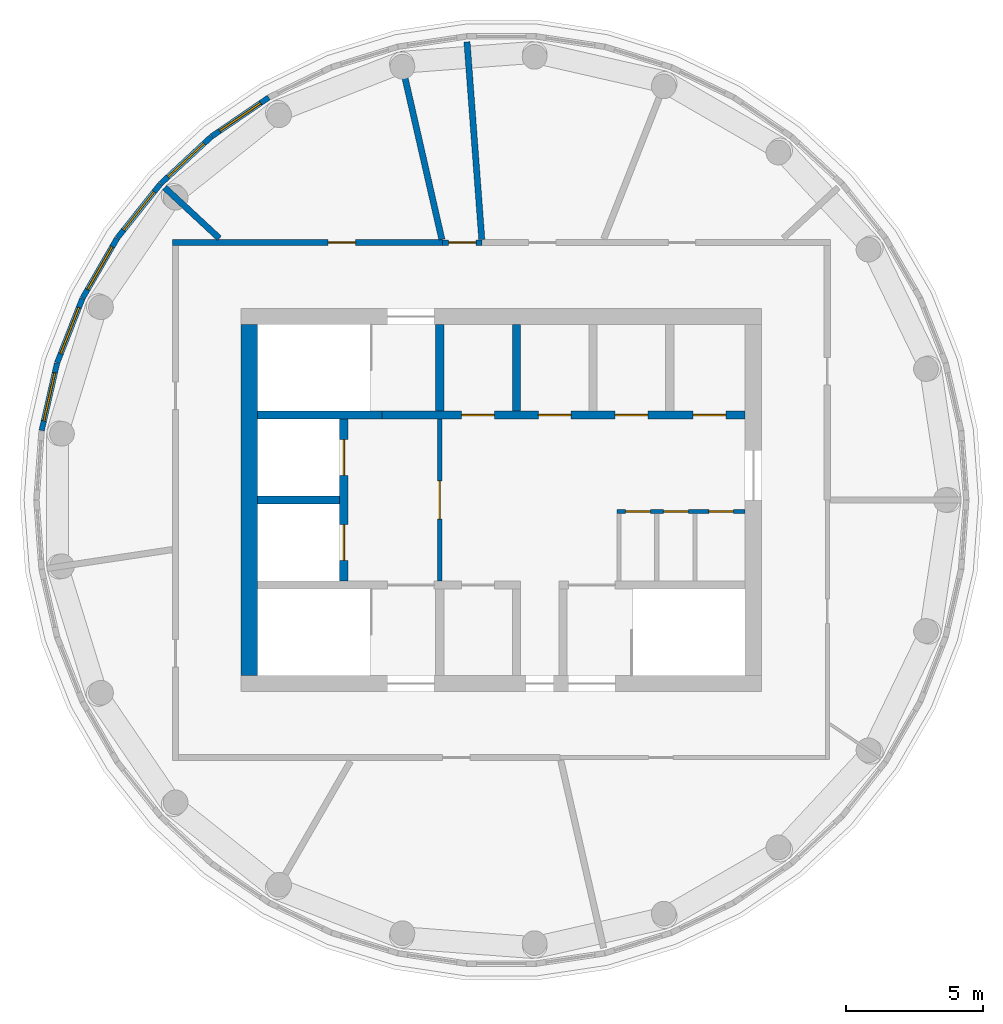
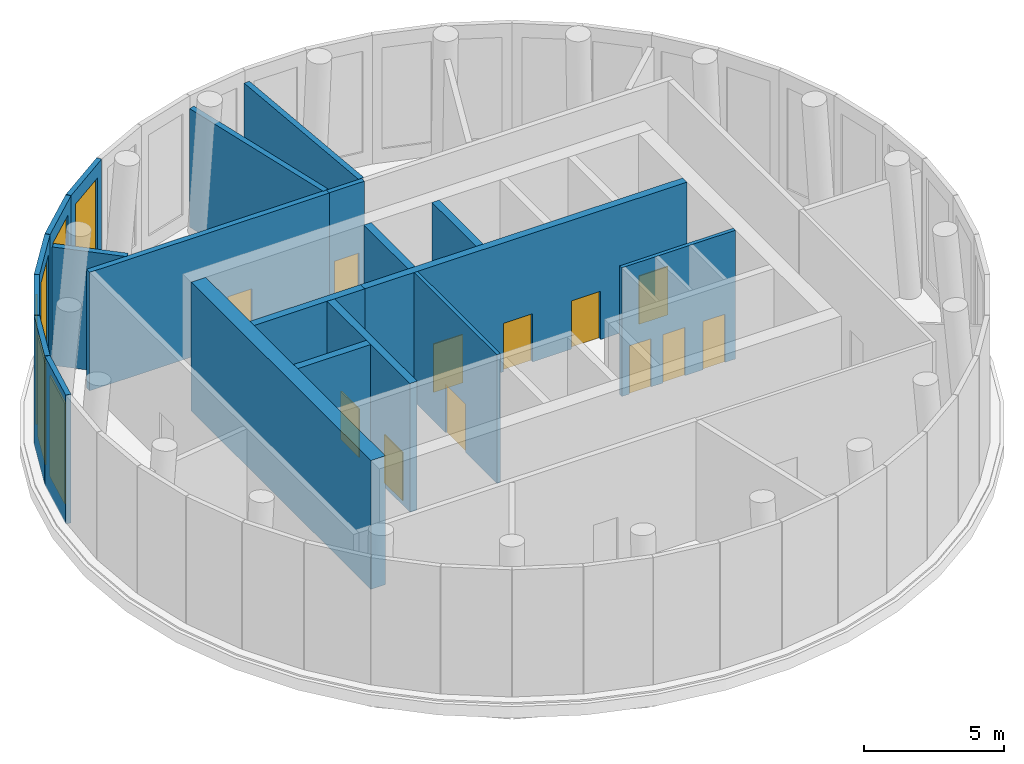
# One storey, part 3 of 6: 20 walls, 12 doors, 6 windows, 18 openings.
"""IFC4 building model written with IfcOpenShell, lengths in metres."""

from ifc_helpers import new_model, si_unit, direction, frame, frame_2d, origin, place, context, subcontext, project, spatial, rectangle, extrude, material, layer, layer_set, type_object, element, fill, save


model = new_model("IFC4")

# Units and contexts
model_context = context("Model", 3, precision=1e-05, world=origin(), true_north=direction((0.0, 1.0)))
body_context = subcontext(model_context, "Body", "Model", "MODEL_VIEW")
ifc_project = project(units=[si_unit("LENGTHUNIT", "METRE"), si_unit("AREAUNIT", "SQUARE_METRE"), si_unit("VOLUMEUNIT", "CUBIC_METRE"), si_unit("PLANEANGLEUNIT", "RADIAN"), si_unit("MASSUNIT", "GRAM", prefix="KILO")], contexts=[model_context])

# Site, building, storey
site_placement = place(None, origin())
site = spatial("IfcSite", under=ifc_project, at=site_placement, CompositionType="ELEMENT")
building_placement = place(site_placement, origin())
building = spatial("IfcBuilding", under=site, at=building_placement, Name="Tracery Tower", CompositionType="ELEMENT")
storey_placement = place(building_placement, frame((0.0, 0.0, 358.199951171875)))
storey = spatial("IfcBuildingStorey", under=building, at=storey_placement, Name="L91 Plant", CompositionType="ELEMENT", Elevation=358.199951171875)

# Wall, opening, door
ifc_material_1 = material(Name="Plasterboard on steel studs", Category="steel")
ifc_layer_1 = layer(ifc_material_1, 0.14990234375)
ifc_layer_set_1 = layer_set([ifc_layer_1], Name="Core lobby partition 150")
wall_type_1 = type_object("IfcWallType", Name="Core lobby partition 150", PredefinedType="SOLIDWALL", material=ifc_layer_set_1)
wall_1_placement = place(storey_placement, frame((-2.25, -2.949951171875, 0.0), z_axis=(0.0, 0.0, 1.0), x_axis=(0.0, 1.0, 0.0)))
wall_1 = element("IfcWall", 1, at=wall_1_placement, inside=storey, type_object=wall_type_1, Name="L91 Plant FF lobby E", PredefinedType="SOLIDWALL", context=body_context, shape_type="SweptSolid", body=[
    extrude(rectangle(XDim=5.89990234375, YDim=0.14990234375, at=frame_2d((2.949951171875, 0.0))), origin(), (0.0, 0.0, 1.0), 5.60009765625),
])
opening_1_placement = place(wall_1_placement, frame((2.25, 0.0, 0.0)))
opening_1 = element("IfcOpeningElement", 2, at=opening_1_placement, cuts=wall_1, Name="Opening KD8", PredefinedType="OPENING", context=body_context, shape_type="SweptSolid", body=[
    extrude(rectangle(XDim=1.39990234375, YDim=2.10009765625, at=frame_2d((0.699951171875, 1.050048828125))), frame((0.0, 0.074951171875, 0.0), z_axis=(0.0, -1.0, 0.0), x_axis=(1.0, 0.0, 0.0)), (0.0, 0.0, 1.0), 0.14990234375),
])
ifc_material_2 = material(Name="Steel fire door", Category="steel")
door_type_1 = type_object("IfcDoorType", Name="Core lobby door 1400 double", OperationType="NOTDEFINED", PredefinedType="DOOR", material=ifc_material_2)
door_1_placement = place(opening_1_placement, origin())
door_1 = element("IfcDoor", 3, at=door_1_placement, inside=storey, type_object=door_type_1, Name="Fire-fighting lobby door", OperationType="DOUBLE_DOOR_SINGLE_SWING", OverallHeight=2.10009765625, OverallWidth=1.39990234375, PredefinedType="DOOR", context=body_context, shape_type="SweptSolid", body=[
    extrude(rectangle(XDim=1.39990234375, YDim=2.10009765625, at=frame_2d((0.699951171875, 1.050048828125))), frame((0.0, 0.02490234375, 0.0), z_axis=(0.0, -1.0, 0.0), x_axis=(1.0, 0.0, 0.0)), (0.0, 0.0, 1.0), 0.050048828125),
])
fill(opening_1, door_1)

# Wall, openings, doors
ifc_material_3 = material(Name="Plasterboard on steel studs", Category="steel")
ifc_layer_2 = layer(ifc_material_3, 0.14990234375)
ifc_layer_set_2 = layer_set([ifc_layer_2], Name="Core room partition 150")
wall_type_2 = type_object("IfcWallType", Name="Core room partition 150", PredefinedType="SOLIDWALL", material=ifc_layer_set_2)
wall_2_placement = place(storey_placement, frame((4.22509765625, -0.425048828125, 0.0), z_axis=(0.0, 0.0, 1.0), x_axis=(1.0, 0.0, 0.0)))
wall_2 = element("IfcWall", 4, at=wall_2_placement, inside=storey, type_object=wall_type_2, Name="L91 Plant slot N", PredefinedType="SOLIDWALL", context=body_context, shape_type="SweptSolid", body=[
    extrude(rectangle(XDim=4.6748046875, YDim=0.14990234375, at=frame_2d((2.33740234375, 0.0))), origin(), (0.0, 0.0, 1.0), 5.60009765625),
])
opening_2_placement = place(wall_2_placement, frame((0.3125, 0.0, 0.0)))
opening_2 = element("IfcOpeningElement", 5, at=opening_2_placement, cuts=wall_2, Name="Opening KD37", PredefinedType="OPENING", context=body_context, shape_type="SweptSolid", body=[
    extrude(rectangle(XDim=0.89990234375, YDim=2.10009765625, at=frame_2d((0.449951171875, 1.050048828125))), frame((0.0, 0.074951171875, 0.0), z_axis=(0.0, -1.0, 0.0), x_axis=(1.0, 0.0, 0.0)), (0.0, 0.0, 1.0), 0.14990234375),
])
opening_3_placement = place(wall_2_placement, frame((1.699951171875, 0.0, 0.0)))
opening_3 = element("IfcOpeningElement", 6, at=opening_3_placement, cuts=wall_2, Name="Opening KD36", PredefinedType="OPENING", context=body_context, shape_type="SweptSolid", body=[
    extrude(rectangle(XDim=0.89990234375, YDim=2.10009765625, at=frame_2d((0.449951171875, 1.050048828125))), frame((0.0, 0.074951171875, 0.0), z_axis=(0.0, -1.0, 0.0), x_axis=(1.0, 0.0, 0.0)), (0.0, 0.0, 1.0), 0.14990234375),
])
opening_4_placement = place(wall_2_placement, frame((3.35009765625, 0.0, 0.0)))
opening_4 = element("IfcOpeningElement", 7, at=opening_4_placement, cuts=wall_2, Name="Opening KD37", PredefinedType="OPENING", context=body_context, shape_type="SweptSolid", body=[
    extrude(rectangle(XDim=0.89990234375, YDim=2.10009765625, at=frame_2d((0.449951171875, 1.050048828125))), frame((0.0, 0.074951171875, 0.0), z_axis=(0.0, -1.0, 0.0), x_axis=(1.0, 0.0, 0.0)), (0.0, 0.0, 1.0), 0.14990234375),
])
ifc_material_4 = material(Name="Steel fire door", Category="steel")
door_type_2 = type_object("IfcDoorType", Name="Core plant door 900", OperationType="NOTDEFINED", PredefinedType="DOOR", material=ifc_material_4)
door_2_placement = place(opening_2_placement, origin())
door_2 = element("IfcDoor", 8, at=door_2_placement, inside=storey, type_object=door_type_2, Name="Core door", OperationType="SINGLE_SWING_RIGHT", OverallHeight=2.10009765625, OverallWidth=0.89990234375, PredefinedType="DOOR", context=body_context, shape_type="SweptSolid", body=[
    extrude(rectangle(XDim=0.89990234375, YDim=2.10009765625, at=frame_2d((0.449951171875, 1.050048828125))), frame((0.0, 0.02490234375, 0.0), z_axis=(0.0, -1.0, 0.0), x_axis=(1.0, 0.0, 0.0)), (0.0, 0.0, 1.0), 0.050048828125),
])
fill(opening_2, door_2)
door_3_placement = place(opening_3_placement, origin())
door_3 = element("IfcDoor", 9, at=door_3_placement, inside=storey, type_object=door_type_2, Name="Core door", OperationType="SINGLE_SWING_LEFT", OverallHeight=2.10009765625, OverallWidth=0.89990234375, PredefinedType="DOOR", context=body_context, shape_type="SweptSolid", body=[
    extrude(rectangle(XDim=0.89990234375, YDim=2.10009765625, at=frame_2d((0.449951171875, 1.050048828125))), frame((0.0, 0.02490234375, 0.0), z_axis=(0.0, -1.0, 0.0), x_axis=(1.0, 0.0, 0.0)), (0.0, 0.0, 1.0), 0.050048828125),
])
fill(opening_3, door_3)
door_4_placement = place(opening_4_placement, origin())
door_4 = element("IfcDoor", 10, at=door_4_placement, inside=storey, type_object=door_type_2, Name="Core door", OperationType="SINGLE_SWING_RIGHT", OverallHeight=2.10009765625, OverallWidth=0.89990234375, PredefinedType="DOOR", context=body_context, shape_type="SweptSolid", body=[
    extrude(rectangle(XDim=0.89990234375, YDim=2.10009765625, at=frame_2d((0.449951171875, 1.050048828125))), frame((0.0, 0.02490234375, 0.0), z_axis=(0.0, -1.0, 0.0), x_axis=(1.0, 0.0, 0.0)), (0.0, 0.0, 1.0), 0.050048828125),
])
fill(opening_4, door_4)

# Wall
ifc_material_5 = material(Name="Concrete C40/50", Category="concrete")
ifc_layer_3 = layer(ifc_material_5, 0.60009765625)
ifc_layer_set_3 = layer_set([ifc_layer_3], Name="Core wall 600 C40")
wall_type_3 = type_object("IfcWallType", Name="Core wall 600 C40", PredefinedType="SOLIDWALL", material=ifc_layer_set_3)
wall_3_placement = place(storey_placement, frame((-9.199951171875, -6.39990234375, 0.0), z_axis=(0.0, 0.0, 1.0), x_axis=(0.0, 1.0, 0.0)))
element("IfcWall", 11, at=wall_3_placement, inside=storey, type_object=wall_type_3, Name="L91 Plant outer W", PredefinedType="SOLIDWALL", context=body_context, shape_type="SweptSolid", body=[
    extrude(rectangle(XDim=12.7998046875, YDim=0.60009765625, at=frame_2d((6.39990234375, 0.0))), origin(), (0.0, 0.0, 1.0), 5.60009765625),
])

# Wall, opening, door
ifc_material_6 = material(Name="Concrete blockwork", Category="masonry")
ifc_layer_4 = layer(ifc_material_6, 0.199951171875)
ifc_layer_set_4 = layer_set([ifc_layer_4], Name="Fire lobby wall 200")
wall_type_4 = type_object("IfcWallType", Name="Fire lobby wall 200", PredefinedType="PARTITIONING", material=ifc_layer_set_4)
wall_4_placement = place(storey_placement, frame((-0.704345703125, 9.39990234375, 0.0), z_axis=(0.0, 0.0, 1.0), x_axis=(-1.0, 0.0, 0.0)))
wall_4 = element("IfcWall", 12, at=wall_4_placement, inside=storey, type_object=wall_type_4, Name="Fire lobby wall 200", PredefinedType="PARTITIONING", context=body_context, shape_type="SweptSolid", body=[
    extrude(rectangle(XDim=1.441162109375, YDim=0.199951171875, at=frame_2d((0.720703125, 0.0))), origin(), (0.0, 0.0, 1.0), 5.150146484375),
])
opening_5_placement = place(wall_4_placement, frame((0.220458984375, 0.0, 0.0)))
opening_5 = element("IfcOpeningElement", 13, at=opening_5_placement, cuts=wall_4, Name="Opening SB-P91-04", PredefinedType="OPENING", context=body_context, shape_type="SweptSolid", body=[
    extrude(rectangle(XDim=1.0, YDim=2.10009765625, at=frame_2d((0.5, 1.050048828125))), frame((0.0, 0.10009765625, 0.0), z_axis=(0.0, -1.0, 0.0), x_axis=(1.0, 0.0, 0.0)), (0.0, 0.0, 1.0), 0.199951171875),
])
ifc_material_7 = material(Name="Steel fire door", Category="steel")
door_type_3 = type_object("IfcDoorType", Name="Fire lobby door 1000", OperationType="NOTDEFINED", PredefinedType="DOOR", material=ifc_material_7)
door_5_placement = place(opening_5_placement, origin())
door_5 = element("IfcDoor", 14, at=door_5_placement, inside=storey, type_object=door_type_3, Name="Fire lobby door 1000", OperationType="SINGLE_SWING_LEFT", OverallHeight=2.10009765625, OverallWidth=1.0, PredefinedType="DOOR", context=body_context, shape_type="SweptSolid", body=[
    extrude(rectangle(XDim=1.0, YDim=2.10009765625, at=frame_2d((0.5, 1.050048828125))), frame((0.0, 0.02490234375, 0.0), z_axis=(0.0, -1.0, 0.0), x_axis=(1.0, 0.0, 0.0)), (0.0, 0.0, 1.0), 0.050048828125),
])
fill(opening_5, door_5)

# Wall, opening, window
ifc_material_8 = material(Name="Aluminium louvre, bronze anodised", Category="aluminium")
ifc_layer_5 = layer(ifc_material_8, 0.199951171875)
ifc_layer_set_5 = layer_set([ifc_layer_5], Name="Plant drum louvre wall 200")
wall_type_5 = type_object("IfcWallType", Name="Plant drum louvre wall 200", PredefinedType="STANDARD", material=ifc_layer_set_5)
wall_5_placement = place(storey_placement, frame((-8.492919921875, 14.693359375, 0.0), z_axis=(0.0, 0.0, 1.0), x_axis=(-0.826221192882, -0.563345844426, 0.0)))
wall_5 = element("IfcWall", 15, at=wall_5_placement, inside=storey, type_object=wall_type_5, Name="Plant drum louvre wall 15", PredefinedType="STANDARD", context=body_context, shape_type="SweptSolid", body=[
    extrude(rectangle(XDim=2.51953125, YDim=0.199951171875, at=frame_2d((1.259765625, 0.0))), origin(), (0.0, 0.0, 1.0), 5.60009765625),
])
opening_6_placement = place(wall_5_placement, frame((0.35986328125, 0.0, 0.60009765625)))
opening_6 = element("IfcOpeningElement", 16, at=opening_6_placement, cuts=wall_5, Name="Opening EW855", PredefinedType="OPENING", context=body_context, shape_type="SweptSolid", body=[
    extrude(rectangle(XDim=1.800048828125, YDim=4.39990234375, at=frame_2d((0.89990234375, 2.199951171875))), frame((0.0, 0.10009765625, 0.0), z_axis=(0.0, -1.0, 0.0), x_axis=(1.0, 0.0, 0.0)), (0.0, 0.0, 1.0), 0.199951171875),
])
ifc_material_9 = material(Name="Aluminium louvre, bronze anodised", Category="aluminium")
window_type = type_object("IfcWindowType", Name="Plant drum louvre 1800 x 4400", PartitioningType="SINGLE_PANEL", PredefinedType="WINDOW", material=ifc_material_9)
window_1_placement = place(opening_6_placement, origin())
window_1 = element("IfcWindow", 17, at=window_1_placement, inside=storey, type_object=window_type, Name="Plant drum louvre EW855", OverallHeight=4.39990234375, OverallWidth=1.800048828125, PartitioningType="SINGLE_PANEL", PredefinedType="WINDOW", context=body_context, shape_type="SweptSolid", body=[
    extrude(rectangle(XDim=1.800048828125, YDim=4.39990234375, at=frame_2d((0.89990234375, 2.199951171875))), frame((0.0, 0.030029296875, 0.0), z_axis=(0.0, -1.0, 0.0), x_axis=(1.0, 0.0, 0.0)), (0.0, 0.0, 1.0), 0.06005859375),
])
fill(opening_6, window_1)

wall_6_placement = place(storey_placement, frame((-10.587890625, 13.263427734375, 0.0), z_axis=(0.0, 0.0, 1.0), x_axis=(-0.733062600056, -0.68016117531, 0.0)))
wall_6 = element("IfcWall", 18, at=wall_6_placement, inside=storey, type_object=wall_type_5, Name="Plant drum louvre wall 16", PredefinedType="STANDARD", context=body_context, shape_type="SweptSolid", body=[
    extrude(rectangle(XDim=2.519775390625, YDim=0.199951171875, at=frame_2d((1.259765625, 0.0))), origin(), (0.0, 0.0, 1.0), 5.60009765625),
])
opening_7_placement = place(wall_6_placement, frame((0.35986328125, 0.0, 0.60009765625)))
opening_7 = element("IfcOpeningElement", 19, at=opening_7_placement, cuts=wall_6, Name="Opening EW856", PredefinedType="OPENING", context=body_context, shape_type="SweptSolid", body=[
    extrude(rectangle(XDim=1.800048828125, YDim=4.39990234375, at=frame_2d((0.89990234375, 2.199951171875))), frame((0.0, 0.10009765625, 0.0), z_axis=(0.0, -1.0, 0.0), x_axis=(1.0, 0.0, 0.0)), (0.0, 0.0, 1.0), 0.199951171875),
])
window_2_placement = place(opening_7_placement, origin())
window_2 = element("IfcWindow", 20, at=window_2_placement, inside=storey, type_object=window_type, Name="Plant drum louvre EW856", OverallHeight=4.39990234375, OverallWidth=1.800048828125, PartitioningType="SINGLE_PANEL", PredefinedType="WINDOW", context=body_context, shape_type="SweptSolid", body=[
    extrude(rectangle(XDim=1.800048828125, YDim=4.39990234375, at=frame_2d((0.89990234375, 2.199951171875))), frame((0.0, 0.030029296875, 0.0), z_axis=(0.0, -1.0, 0.0), x_axis=(1.0, 0.0, 0.0)), (0.0, 0.0, 1.0), 0.06005859375),
])
fill(opening_7, window_2)

wall_7_placement = place(storey_placement, frame((-12.446533203125, 11.537109375, 0.0), z_axis=(0.0, 0.0, 1.0), x_axis=(-0.623548124622, -0.781784968057, 0.0)))
wall_7 = element("IfcWall", 21, at=wall_7_placement, inside=storey, type_object=wall_type_5, Name="Plant drum louvre wall 17", PredefinedType="STANDARD", context=body_context, shape_type="SweptSolid", body=[
    extrude(rectangle(XDim=2.51953125, YDim=0.199951171875, at=frame_2d((1.259765625, 0.0))), origin(), (0.0, 0.0, 1.0), 5.60009765625),
])
opening_8_placement = place(wall_7_placement, frame((0.35986328125, 0.0, 0.60009765625)))
opening_8 = element("IfcOpeningElement", 22, at=opening_8_placement, cuts=wall_7, Name="Opening EW857", PredefinedType="OPENING", context=body_context, shape_type="SweptSolid", body=[
    extrude(rectangle(XDim=1.800048828125, YDim=4.39990234375, at=frame_2d((0.89990234375, 2.199951171875))), frame((0.0, 0.10009765625, 0.0), z_axis=(0.0, -1.0, 0.0), x_axis=(1.0, 0.0, 0.0)), (0.0, 0.0, 1.0), 0.199951171875),
])
window_3_placement = place(opening_8_placement, origin())
window_3 = element("IfcWindow", 23, at=window_3_placement, inside=storey, type_object=window_type, Name="Plant drum louvre EW857", OverallHeight=4.39990234375, OverallWidth=1.800048828125, PartitioningType="SINGLE_PANEL", PredefinedType="WINDOW", context=body_context, shape_type="SweptSolid", body=[
    extrude(rectangle(XDim=1.800048828125, YDim=4.39990234375, at=frame_2d((0.89990234375, 2.199951171875))), frame((0.0, 0.030029296875, 0.0), z_axis=(0.0, -1.0, 0.0), x_axis=(1.0, 0.0, 0.0)), (0.0, 0.0, 1.0), 0.06005859375),
])
fill(opening_8, window_3)

wall_8_placement = place(storey_placement, frame((-14.027099609375, 9.55322265625, 0.0), z_axis=(0.0, 0.0, 1.0), x_axis=(-0.499974077718, -0.866040369504, 0.0)))
wall_8 = element("IfcWall", 24, at=wall_8_placement, inside=storey, type_object=wall_type_5, Name="Plant drum louvre wall 18", PredefinedType="STANDARD", context=body_context, shape_type="SweptSolid", body=[
    extrude(rectangle(XDim=2.519775390625, YDim=0.199951171875, at=frame_2d((1.259765625, 0.0))), origin(), (0.0, 0.0, 1.0), 5.60009765625),
])
opening_9_placement = place(wall_8_placement, frame((0.35986328125, 0.0, 0.60009765625)))
opening_9 = element("IfcOpeningElement", 25, at=opening_9_placement, cuts=wall_8, Name="Opening EW858", PredefinedType="OPENING", context=body_context, shape_type="SweptSolid", body=[
    extrude(rectangle(XDim=1.800048828125, YDim=4.39990234375, at=frame_2d((0.89990234375, 2.199951171875))), frame((0.0, 0.10009765625, 0.0), z_axis=(0.0, -1.0, 0.0), x_axis=(1.0, 0.0, 0.0)), (0.0, 0.0, 1.0), 0.199951171875),
])
window_4_placement = place(opening_9_placement, origin())
window_4 = element("IfcWindow", 26, at=window_4_placement, inside=storey, type_object=window_type, Name="Plant drum louvre EW858", OverallHeight=4.39990234375, OverallWidth=1.800048828125, PartitioningType="SINGLE_PANEL", PredefinedType="WINDOW", context=body_context, shape_type="SweptSolid", body=[
    extrude(rectangle(XDim=1.800048828125, YDim=4.39990234375, at=frame_2d((0.89990234375, 2.199951171875))), frame((0.0, 0.030029296875, 0.0), z_axis=(0.0, -1.0, 0.0), x_axis=(1.0, 0.0, 0.0)), (0.0, 0.0, 1.0), 0.06005859375),
])
fill(opening_9, window_4)

wall_9_placement = place(storey_placement, frame((-15.294189453125, 7.35595703125, 0.0), z_axis=(0.0, 0.0, 1.0), x_axis=(-0.365385552195, -0.93085627153, 0.0)))
wall_9 = element("IfcWall", 27, at=wall_9_placement, inside=storey, type_object=wall_type_5, Name="Plant drum louvre wall 19", PredefinedType="STANDARD", context=body_context, shape_type="SweptSolid", body=[
    extrude(rectangle(XDim=2.519775390625, YDim=0.199951171875, at=frame_2d((1.259765625, 0.0))), origin(), (0.0, 0.0, 1.0), 5.60009765625),
])
opening_10_placement = place(wall_9_placement, frame((0.35986328125, 0.0, 0.60009765625)))
opening_10 = element("IfcOpeningElement", 28, at=opening_10_placement, cuts=wall_9, Name="Opening EW859", PredefinedType="OPENING", context=body_context, shape_type="SweptSolid", body=[
    extrude(rectangle(XDim=1.800048828125, YDim=4.39990234375, at=frame_2d((0.89990234375, 2.199951171875))), frame((0.0, 0.10009765625, 0.0), z_axis=(0.0, -1.0, 0.0), x_axis=(1.0, 0.0, 0.0)), (0.0, 0.0, 1.0), 0.199951171875),
])
window_5_placement = place(opening_10_placement, origin())
window_5 = element("IfcWindow", 29, at=window_5_placement, inside=storey, type_object=window_type, Name="Plant drum louvre EW859", OverallHeight=4.39990234375, OverallWidth=1.800048828125, PartitioningType="SINGLE_PANEL", PredefinedType="WINDOW", context=body_context, shape_type="SweptSolid", body=[
    extrude(rectangle(XDim=1.800048828125, YDim=4.39990234375, at=frame_2d((0.89990234375, 2.199951171875))), frame((0.0, 0.030029296875, 0.0), z_axis=(0.0, -1.0, 0.0), x_axis=(1.0, 0.0, 0.0)), (0.0, 0.0, 1.0), 0.06005859375),
])
fill(opening_10, window_5)

wall_10_placement = place(storey_placement, frame((-16.2197265625, 4.994384765625, 0.0), z_axis=(0.0, 0.0, 1.0), x_axis=(-0.222559075323, -0.974919205879, 0.0)))
wall_10 = element("IfcWall", 30, at=wall_10_placement, inside=storey, type_object=wall_type_5, Name="Plant drum louvre wall 20", PredefinedType="STANDARD", context=body_context, shape_type="SweptSolid", body=[
    extrude(rectangle(XDim=2.519775390625, YDim=0.199951171875, at=frame_2d((1.259765625, 0.0))), origin(), (0.0, 0.0, 1.0), 5.60009765625),
])
opening_11_placement = place(wall_10_placement, frame((0.35986328125, 0.0, 0.60009765625)))
opening_11 = element("IfcOpeningElement", 31, at=opening_11_placement, cuts=wall_10, Name="Opening EW860", PredefinedType="OPENING", context=body_context, shape_type="SweptSolid", body=[
    extrude(rectangle(XDim=1.800048828125, YDim=4.39990234375, at=frame_2d((0.89990234375, 2.199951171875))), frame((0.0, 0.10009765625, 0.0), z_axis=(0.0, -1.0, 0.0), x_axis=(1.0, 0.0, 0.0)), (0.0, 0.0, 1.0), 0.199951171875),
])
window_6_placement = place(opening_11_placement, origin())
window_6 = element("IfcWindow", 32, at=window_6_placement, inside=storey, type_object=window_type, Name="Plant drum louvre EW860", OverallHeight=4.39990234375, OverallWidth=1.800048828125, PartitioningType="SINGLE_PANEL", PredefinedType="WINDOW", context=body_context, shape_type="SweptSolid", body=[
    extrude(rectangle(XDim=1.800048828125, YDim=4.39990234375, at=frame_2d((0.89990234375, 2.199951171875))), frame((0.0, 0.030029296875, 0.0), z_axis=(0.0, -1.0, 0.0), x_axis=(1.0, 0.0, 0.0)), (0.0, 0.0, 1.0), 0.06005859375),
])
fill(opening_11, window_6)

# Walls
ifc_material_10 = material(Name="Concrete blockwork", Category="masonry")
ifc_layer_6 = layer(ifc_material_10, 0.22509765625)
ifc_layer_set_6 = layer_set([ifc_layer_6], Name="Plant room block wall 225")
wall_type_6 = type_object("IfcWallType", Name="Plant room block wall 225", PredefinedType="PARTITIONING", material=ifc_layer_set_6)
wall_11_placement = place(storey_placement, frame((-12.294189453125, 11.407470703125, 0.0), z_axis=(0.0, 0.0, 1.0), x_axis=(0.733039115951, -0.680186485081, 0.0)))
element("IfcWall", 33, at=wall_11_placement, inside=storey, type_object=wall_type_6, Name="Plant room block wall 225", PredefinedType="PARTITIONING", context=body_context, shape_type="SweptSolid", body=[
    extrude(rectangle(XDim=2.725341796875, YDim=0.22509765625, at=frame_2d((1.36279296875, 0.0))), origin(), (0.0, 0.0, 1.0), 5.150146484375),
])
wall_12_placement = place(storey_placement, frame((-3.73193359375, 16.350830078125, 0.0), z_axis=(0.0, 0.0, 1.0), x_axis=(0.222517634997, -0.974928665142, 0.0)))
element("IfcWall", 34, at=wall_12_placement, inside=storey, type_object=wall_type_6, Name="Plant room block wall 225", PredefinedType="PARTITIONING", context=body_context, shape_type="SweptSolid", body=[
    extrude(rectangle(XDim=7.01416015625, YDim=0.22509765625, at=frame_2d((3.507080078125, 0.0))), origin(), (0.0, 0.0, 1.0), 5.150146484375),
])

# Wall, opening, door
wall_13_placement = place(storey_placement, frame((-2.1455078125, 9.39990234375, 0.0), z_axis=(0.0, 0.0, 1.0), x_axis=(-1.0, 0.0, 0.0)))
wall_13 = element("IfcWall", 35, at=wall_13_placement, inside=storey, type_object=wall_type_6, Name="Plant room block wall 225", PredefinedType="PARTITIONING", context=body_context, shape_type="SweptSolid", body=[
    extrude(rectangle(XDim=9.866943359375, YDim=0.22509765625, at=frame_2d((4.93359375, 0.0))), origin(), (0.0, 0.0, 1.0), 5.150146484375),
])
opening_12_placement = place(wall_13_placement, frame((3.17724609375, 0.0, 0.0)))
opening_12 = element("IfcOpeningElement", 36, at=opening_12_placement, cuts=wall_13, Name="Opening SB-P91-05", PredefinedType="OPENING", context=body_context, shape_type="SweptSolid", body=[
    extrude(rectangle(XDim=1.0, YDim=2.10009765625, at=frame_2d((0.5, 1.050048828125))), frame((0.0, 0.112548828125, 0.0), z_axis=(0.0, -1.0, 0.0), x_axis=(1.0, 0.0, 0.0)), (0.0, 0.0, 1.0), 0.22509765625),
])
ifc_material_11 = material(Name="Steel fire door", Category="steel")
door_type_4 = type_object("IfcDoorType", Name="Plant room door 1000", OperationType="NOTDEFINED", PredefinedType="DOOR", material=ifc_material_11)
door_6_placement = place(opening_12_placement, origin())
door_6 = element("IfcDoor", 37, at=door_6_placement, inside=storey, type_object=door_type_4, Name="Plant room door 1000", OperationType="SINGLE_SWING_LEFT", OverallHeight=2.10009765625, OverallWidth=1.0, PredefinedType="DOOR", context=body_context, shape_type="SweptSolid", body=[
    extrude(rectangle(XDim=1.0, YDim=2.10009765625, at=frame_2d((0.5, 1.050048828125))), frame((0.0, 0.02490234375, 0.0), z_axis=(0.0, -1.0, 0.0), x_axis=(1.0, 0.0, 0.0)), (0.0, 0.0, 1.0), 0.050048828125),
])
fill(opening_12, door_6)

# Walls
wall_14_placement = place(storey_placement, frame((-1.25341796875, 16.724609375, 0.0), z_axis=(0.0, 0.0, 1.0), x_axis=(0.074737078905, -0.997203273679, 0.0)))
element("IfcWall", 38, at=wall_14_placement, inside=storey, type_object=wall_type_6, Name="Plant room block wall 225", PredefinedType="PARTITIONING", context=body_context, shape_type="SweptSolid", body=[
    extrude(rectangle(XDim=7.232421875, YDim=0.22509765625, at=frame_2d((3.6162109375, 0.0))), origin(), (0.0, 0.0, 1.0), 5.150146484375),
])
ifc_material_12 = material(Name="Concrete C40/50", Category="concrete")
ifc_layer_7 = layer(ifc_material_12, 0.300048828125)
ifc_layer_set_7 = layer_set([ifc_layer_7], Name="Shaft wall 300 C40")
wall_type_7 = type_object("IfcWallType", Name="Shaft wall 300 C40", PredefinedType="SOLIDWALL", material=ifc_layer_set_7)
wall_15_placement = place(storey_placement, frame((-8.89990234375, 0.0, 0.0), z_axis=(0.0, 0.0, 1.0), x_axis=(1.0, 0.0, 0.0)))
element("IfcWall", 39, at=wall_15_placement, inside=storey, type_object=wall_type_7, Name="L91 Plant FF split", PredefinedType="SOLIDWALL", context=body_context, shape_type="SweptSolid", body=[
    extrude(rectangle(XDim=3.0, YDim=0.300048828125, at=frame_2d((1.5, 0.0))), origin(), (0.0, 0.0, 1.0), 5.60009765625),
])

# Wall, openings, doors
wall_16_placement = place(storey_placement, frame((-5.75, -2.949951171875, 0.0), z_axis=(0.0, 0.0, 1.0), x_axis=(0.0, 1.0, 0.0)))
wall_16 = element("IfcWall", 40, at=wall_16_placement, inside=storey, type_object=wall_type_7, Name="L91 Plant FF doors", PredefinedType="SOLIDWALL", context=body_context, shape_type="SweptSolid", body=[
    extrude(rectangle(XDim=5.89990234375, YDim=0.300048828125, at=frame_2d((2.949951171875, 0.0))), origin(), (0.0, 0.0, 1.0), 5.60009765625),
])
opening_13_placement = place(wall_16_placement, frame((0.75, 0.0, 0.0)))
opening_13 = element("IfcOpeningElement", 41, at=opening_13_placement, cuts=wall_16, Name="Opening KD54", PredefinedType="OPENING", context=body_context, shape_type="SweptSolid", body=[
    extrude(rectangle(XDim=1.300048828125, YDim=2.10009765625, at=frame_2d((0.64990234375, 1.050048828125))), frame((0.0, 0.14990234375, 0.0), z_axis=(0.0, -1.0, 0.0), x_axis=(1.0, 0.0, 0.0)), (0.0, 0.0, 1.0), 0.300048828125),
])
opening_14_placement = place(wall_16_placement, frame((3.85009765625, 0.0, 0.0)))
opening_14 = element("IfcOpeningElement", 42, at=opening_14_placement, cuts=wall_16, Name="Opening KD55", PredefinedType="OPENING", context=body_context, shape_type="SweptSolid", body=[
    extrude(rectangle(XDim=1.300048828125, YDim=2.10009765625, at=frame_2d((0.64990234375, 1.050048828125))), frame((0.0, 0.14990234375, 0.0), z_axis=(0.0, -1.0, 0.0), x_axis=(1.0, 0.0, 0.0)), (0.0, 0.0, 1.0), 0.300048828125),
])
ifc_material_13 = material(Name="Steel fire door", Category="steel")
door_type_5 = type_object("IfcDoorType", Name="Landing door FF 1300", OperationType="NOTDEFINED", PredefinedType="DOOR", material=ifc_material_13)
door_7_placement = place(opening_13_placement, origin())
door_7 = element("IfcDoor", 43, at=door_7_placement, inside=storey, type_object=door_type_5, Name="Landing door FF1", OperationType="SLIDING_TO_LEFT", OverallHeight=2.10009765625, OverallWidth=1.300048828125, PredefinedType="DOOR", context=body_context, shape_type="SweptSolid", body=[
    extrude(rectangle(XDim=1.300048828125, YDim=2.10009765625, at=frame_2d((0.64990234375, 1.050048828125))), frame((0.0, 0.02490234375, 0.0), z_axis=(0.0, -1.0, 0.0), x_axis=(1.0, 0.0, 0.0)), (0.0, 0.0, 1.0), 0.050048828125),
])
fill(opening_13, door_7)
door_8_placement = place(opening_14_placement, origin())
door_8 = element("IfcDoor", 44, at=door_8_placement, inside=storey, type_object=door_type_5, Name="Landing door FF2", OperationType="SLIDING_TO_RIGHT", OverallHeight=2.10009765625, OverallWidth=1.300048828125, PredefinedType="DOOR", context=body_context, shape_type="SweptSolid", body=[
    extrude(rectangle(XDim=1.300048828125, YDim=2.10009765625, at=frame_2d((0.64990234375, 1.050048828125))), frame((0.0, 0.02490234375, 0.0), z_axis=(0.0, -1.0, 0.0), x_axis=(1.0, 0.0, 0.0)), (0.0, 0.0, 1.0), 0.050048828125),
])
fill(opening_14, door_8)

# Walls
wall_17_placement = place(storey_placement, frame((0.550048828125, 3.25, 0.0), z_axis=(0.0, 0.0, 1.0), x_axis=(0.0, 1.0, 0.0)))
element("IfcWall", 45, at=wall_17_placement, inside=storey, type_object=wall_type_7, Name="L91 Plant HR sep 1", PredefinedType="SOLIDWALL", context=body_context, shape_type="SweptSolid", body=[
    extrude(rectangle(XDim=3.14990234375, YDim=0.300048828125, at=frame_2d((1.574951171875, 0.0))), origin(), (0.0, 0.0, 1.0), 5.60009765625),
])
ifc_material_14 = material(Name="Concrete C40/50", Category="concrete")
ifc_layer_8 = layer(ifc_material_14, 0.300048828125)
ifc_layer_set_8 = layer_set([ifc_layer_8], Name="Stair wall 300 C40")
wall_type_8 = type_object("IfcWallType", Name="Stair wall 300 C40", PredefinedType="SOLIDWALL", material=ifc_layer_set_8)
wall_18_placement = place(storey_placement, frame((-8.89990234375, 3.10009765625, 0.0), z_axis=(0.0, 0.0, 1.0), x_axis=(1.0, 0.0, 0.0)))
element("IfcWall", 46, at=wall_18_placement, inside=storey, type_object=wall_type_8, Name="L91 Plant row N W", PredefinedType="SOLIDWALL", context=body_context, shape_type="SweptSolid", body=[
    extrude(rectangle(XDim=4.5498046875, YDim=0.300048828125, at=frame_2d((2.27490234375, 0.0))), origin(), (0.0, 0.0, 1.0), 5.60009765625),
])

# Wall, openings, doors
wall_19_placement = place(storey_placement, frame((-4.35009765625, 3.10009765625, 0.0), z_axis=(0.0, 0.0, 1.0), x_axis=(1.0, 0.0, 0.0)))
wall_19 = element("IfcWall", 47, at=wall_19_placement, inside=storey, type_object=wall_type_8, Name="L91 Plant row N", PredefinedType="SOLIDWALL", context=body_context, shape_type="SweptSolid", body=[
    extrude(rectangle(XDim=13.25, YDim=0.300048828125, at=frame_2d((6.625, 0.0))), origin(), (0.0, 0.0, 1.0), 5.60009765625),
])
opening_15_placement = place(wall_19_placement, frame((2.89990234375, 0.0, 0.0)))
opening_15 = element("IfcOpeningElement", 48, at=opening_15_placement, cuts=wall_19, Name="Opening KD41", PredefinedType="OPENING", context=body_context, shape_type="SweptSolid", body=[
    extrude(rectangle(XDim=1.199951171875, YDim=2.10009765625, at=frame_2d((0.60009765625, 1.050048828125))), frame((0.0, 0.14990234375, 0.0), z_axis=(0.0, -1.0, 0.0), x_axis=(1.0, 0.0, 0.0)), (0.0, 0.0, 1.0), 0.300048828125),
])
opening_16_placement = place(wall_19_placement, frame((5.699951171875, 0.0, 0.0)))
opening_16 = element("IfcOpeningElement", 49, at=opening_16_placement, cuts=wall_19, Name="Opening KD41", PredefinedType="OPENING", context=body_context, shape_type="SweptSolid", body=[
    extrude(rectangle(XDim=1.199951171875, YDim=2.10009765625, at=frame_2d((0.60009765625, 1.050048828125))), frame((0.0, 0.14990234375, 0.0), z_axis=(0.0, -1.0, 0.0), x_axis=(1.0, 0.0, 0.0)), (0.0, 0.0, 1.0), 0.300048828125),
])
opening_17_placement = place(wall_19_placement, frame((8.5, 0.0, 0.0)))
opening_17 = element("IfcOpeningElement", 50, at=opening_17_placement, cuts=wall_19, Name="Opening KD41", PredefinedType="OPENING", context=body_context, shape_type="SweptSolid", body=[
    extrude(rectangle(XDim=1.199951171875, YDim=2.10009765625, at=frame_2d((0.60009765625, 1.050048828125))), frame((0.0, 0.14990234375, 0.0), z_axis=(0.0, -1.0, 0.0), x_axis=(1.0, 0.0, 0.0)), (0.0, 0.0, 1.0), 0.300048828125),
])
opening_18_placement = place(wall_19_placement, frame((11.35009765625, 0.0, 0.0)))
opening_18 = element("IfcOpeningElement", 51, at=opening_18_placement, cuts=wall_19, Name="Opening KD41", PredefinedType="OPENING", context=body_context, shape_type="SweptSolid", body=[
    extrude(rectangle(XDim=1.199951171875, YDim=2.10009765625, at=frame_2d((0.60009765625, 1.050048828125))), frame((0.0, 0.14990234375, 0.0), z_axis=(0.0, -1.0, 0.0), x_axis=(1.0, 0.0, 0.0)), (0.0, 0.0, 1.0), 0.300048828125),
])
ifc_material_15 = material(Name="Steel fire door", Category="steel")
door_type_6 = type_object("IfcDoorType", Name="Core plant door 1200", OperationType="NOTDEFINED", PredefinedType="DOOR", material=ifc_material_15)
door_9_placement = place(opening_15_placement, origin())
door_9 = element("IfcDoor", 52, at=door_9_placement, inside=storey, type_object=door_type_6, Name="Machine room door HR1", OperationType="SINGLE_SWING_LEFT", OverallHeight=2.10009765625, OverallWidth=1.199951171875, PredefinedType="DOOR", context=body_context, shape_type="SweptSolid", body=[
    extrude(rectangle(XDim=1.199951171875, YDim=2.10009765625, at=frame_2d((0.60009765625, 1.050048828125))), frame((0.0, 0.02490234375, 0.0), z_axis=(0.0, -1.0, 0.0), x_axis=(1.0, 0.0, 0.0)), (0.0, 0.0, 1.0), 0.050048828125),
])
fill(opening_15, door_9)
door_10_placement = place(opening_16_placement, origin())
door_10 = element("IfcDoor", 53, at=door_10_placement, inside=storey, type_object=door_type_6, Name="Machine room door HR2", OperationType="SINGLE_SWING_LEFT", OverallHeight=2.10009765625, OverallWidth=1.199951171875, PredefinedType="DOOR", context=body_context, shape_type="SweptSolid", body=[
    extrude(rectangle(XDim=1.199951171875, YDim=2.10009765625, at=frame_2d((0.60009765625, 1.050048828125))), frame((0.0, 0.02490234375, 0.0), z_axis=(0.0, -1.0, 0.0), x_axis=(1.0, 0.0, 0.0)), (0.0, 0.0, 1.0), 0.050048828125),
])
fill(opening_16, door_10)
door_11_placement = place(opening_17_placement, origin())
door_11 = element("IfcDoor", 54, at=door_11_placement, inside=storey, type_object=door_type_6, Name="Machine room door HR3", OperationType="SINGLE_SWING_LEFT", OverallHeight=2.10009765625, OverallWidth=1.199951171875, PredefinedType="DOOR", context=body_context, shape_type="SweptSolid", body=[
    extrude(rectangle(XDim=1.199951171875, YDim=2.10009765625, at=frame_2d((0.60009765625, 1.050048828125))), frame((0.0, 0.02490234375, 0.0), z_axis=(0.0, -1.0, 0.0), x_axis=(1.0, 0.0, 0.0)), (0.0, 0.0, 1.0), 0.050048828125),
])
fill(opening_17, door_11)
door_12_placement = place(opening_18_placement, origin())
door_12 = element("IfcDoor", 55, at=door_12_placement, inside=storey, type_object=door_type_6, Name="Machine room door OB1", OperationType="SINGLE_SWING_LEFT", OverallHeight=2.10009765625, OverallWidth=1.199951171875, PredefinedType="DOOR", context=body_context, shape_type="SweptSolid", body=[
    extrude(rectangle(XDim=1.199951171875, YDim=2.10009765625, at=frame_2d((0.60009765625, 1.050048828125))), frame((0.0, 0.02490234375, 0.0), z_axis=(0.0, -1.0, 0.0), x_axis=(1.0, 0.0, 0.0)), (0.0, 0.0, 1.0), 0.050048828125),
])
fill(opening_18, door_12)

# Wall
wall_20_placement = place(storey_placement, frame((-2.25, 3.25, 0.0), z_axis=(0.0, 0.0, 1.0), x_axis=(0.0, 1.0, 0.0)))
element("IfcWall", 56, at=wall_20_placement, inside=storey, type_object=wall_type_8, Name="L91 Plant ST3 E", PredefinedType="SOLIDWALL", context=body_context, shape_type="SweptSolid", body=[
    extrude(rectangle(XDim=3.14990234375, YDim=0.300048828125, at=frame_2d((1.574951171875, 0.0))), origin(), (0.0, 0.0, 1.0), 5.60009765625),
])

save(model, "model.ifc")
